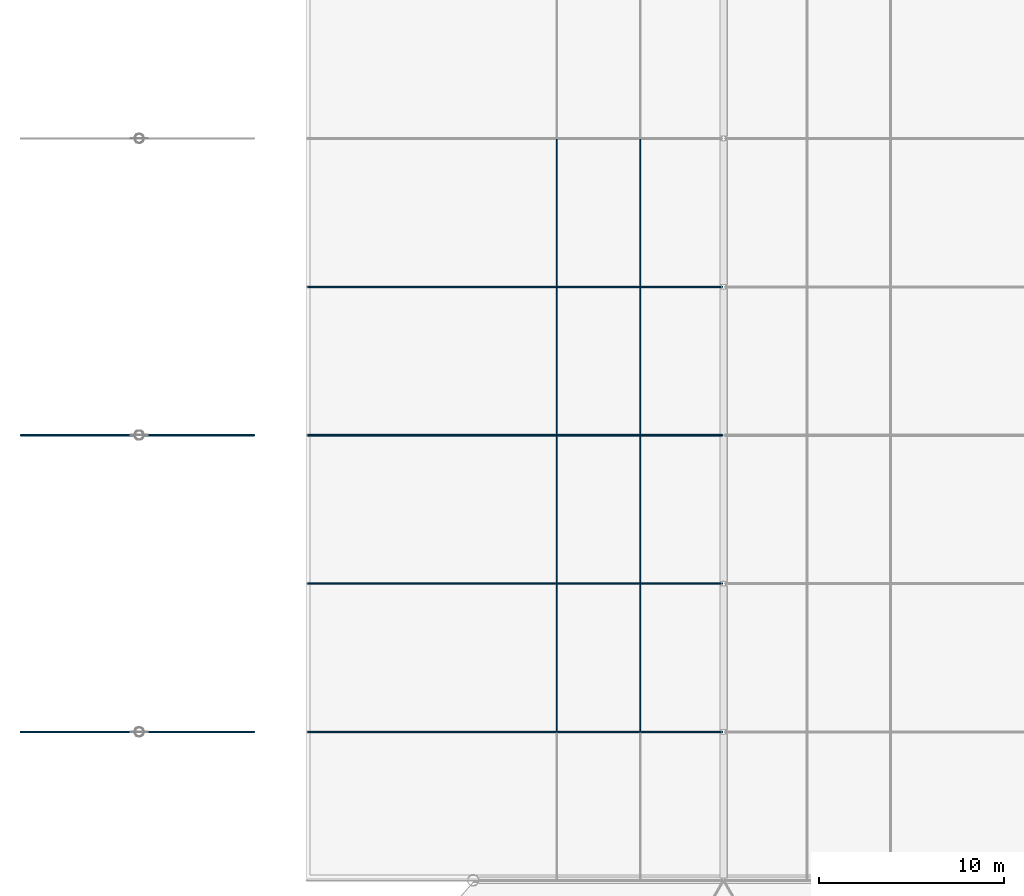
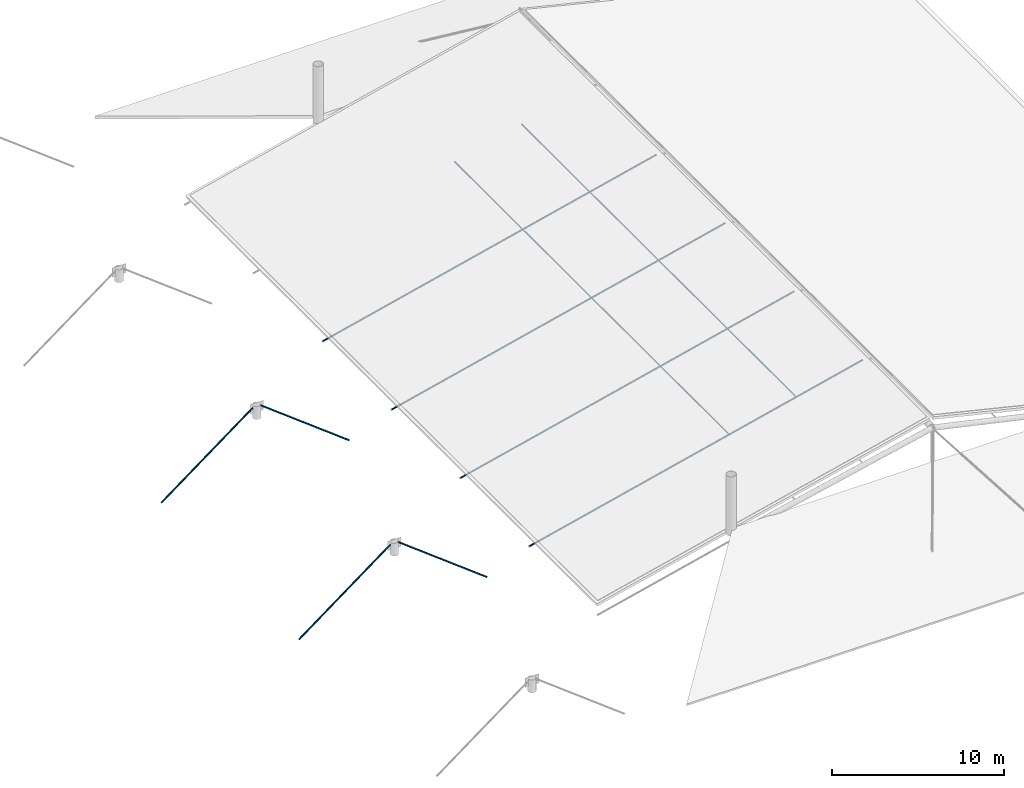
# One storey, part 8 of 71: 16 members.
"""IFC4 building model written with IfcOpenShell, lengths in metres."""

from ifc_helpers import new_model, si_unit, derived_unit, direction, frame, origin, origin_2d, place, context, subcontext, project, spatial, hollow_circle, extrude, material, material_profile, profile_set, type_object, element, save


model = new_model("IFC4")

# Units and contexts
model_context = context("Model", 3, precision=1e-05, world=origin(), true_north=direction((0.0, 1.0)))
body_context = subcontext(model_context, "Body", "Model", "MODEL_VIEW")
ifc_project = project(units=[si_unit("LENGTHUNIT", "METRE"), si_unit("AREAUNIT", "SQUARE_METRE"), si_unit("VOLUMEUNIT", "CUBIC_METRE"), si_unit("PLANEANGLEUNIT", "RADIAN"), si_unit("MASSUNIT", "GRAM", prefix="KILO"), derived_unit("THERMALTRANSMITTANCEUNIT", [(si_unit("MASSUNIT", "GRAM", prefix="KILO"), 1), (si_unit("TIMEUNIT", "SECOND"), -3), (si_unit("THERMODYNAMICTEMPERATUREUNIT", "KELVIN"), -1)])], contexts=[model_context])

# Site, building, storey
site_placement = place(None, origin())
site = spatial("IfcSite", under=ifc_project, at=site_placement, CompositionType="ELEMENT")
building_placement = place(site_placement, origin())
building = spatial("IfcBuilding", under=site, at=building_placement, Name="Zhenchuan Archway Interchange", CompositionType="ELEMENT")
storey_placement = place(building_placement, frame((0.0, 0.0, 18.60009765625)))
storey = spatial("IfcBuildingStorey", under=building, at=storey_placement, Name="L04", CompositionType="ELEMENT", Elevation=18.60009765625)

# Members
ifc_material = material(Name="Steel Q390", Category="steel")
ifc_material_profile_1 = material_profile(ifc_material, hollow_circle(Radius=0.056884765625, WallThickness=0.006103515625, at=origin_2d()), Name="CHS 114x6")
ifc_profile_set_1 = profile_set([ifc_material_profile_1], Name="Steel Q390")
member_type_1 = type_object("IfcMemberType", Name="MB_CBL_CHS114", PredefinedType="USERDEFINED", material=ifc_profile_set_1)
for number, where, z_axis, x_axis, name in (
    (1, (27.050048828125, 40.0, -2.650146484375), (0.972148755208, 0.0, 0.234364668299), (0.0, 1.0, 0.0), "CONCOURSE ROOF CABLE west radial strand 2"),
    (2, (27.050048828125, 48.0, -2.650146484375), (0.972148755208, 0.0, 0.234364668299), (0.0, 1.0, 0.0), "CONCOURSE ROOF CABLE west radial strand 3"),
    (3, (27.050048828125, 56.0, -2.650146484375), (0.972148755208, 0.0, 0.234364668299), (0.0, 1.0, 0.0), "CONCOURSE ROOF CABLE west radial strand 4"),
    (4, (27.050048828125, 64.0, -2.650146484375), (0.972148755208, 0.0, 0.234364668299), (0.0, 1.0, 0.0), "CONCOURSE ROOF CABLE west radial strand 5"),
):
    element("IfcMember", number, at=place(storey_placement, frame(where, z_axis=z_axis, x_axis=x_axis)), inside=storey, type_object=member_type_1, Name=name, ObjectType="CABLE", PredefinedType="USERDEFINED", context=body_context, shape_type="SweptSolid", body=[
        extrude(hollow_circle(Radius=0.056884765625, WallThickness=0.006103515625, at=origin_2d()), origin(), (0.0, 0.0, 1.0), 23.041748046875),
    ])
member_1_placement = place(storey_placement, frame((17.75, 40.0, 0.75), z_axis=(-0.800769910418, 0.0, -0.598972078289), x_axis=(0.0, -1.0, 0.0)))
element("IfcMember", 5, at=member_1_placement, inside=storey, type_object=member_type_1, Name="BUS CANOPY STAY CABLE west BM2", ObjectType="CABLE", PredefinedType="USERDEFINED", context=body_context, shape_type="SweptSolid", body=[
    extrude(hollow_circle(Radius=0.056884765625, WallThickness=0.006103515625, at=origin_2d()), origin(), (0.0, 0.0, 1.0), 7.679931640625),
])
member_2_placement = place(storey_placement, frame((18.25, 40.0, 0.75), z_axis=(0.793062909008, 0.0, -0.609139739597), x_axis=(0.0, 1.0, 0.0)))
element("IfcMember", 6, at=member_2_placement, inside=storey, type_object=member_type_1, Name="BUS CANOPY STAY CABLE east BM2", ObjectType="CABLE", PredefinedType="USERDEFINED", context=body_context, shape_type="SweptSolid", body=[
    extrude(hollow_circle(Radius=0.056884765625, WallThickness=0.006103515625, at=origin_2d()), origin(), (0.0, 0.0, 1.0), 7.50244140625),
])
member_3_placement = place(storey_placement, frame((17.75, 56.0, 0.75), z_axis=(-0.800769910418, 0.0, -0.598972078289), x_axis=(0.0, -1.0, 0.0)))
element("IfcMember", 7, at=member_3_placement, inside=storey, type_object=member_type_1, Name="BUS CANOPY STAY CABLE west BM3", ObjectType="CABLE", PredefinedType="USERDEFINED", context=body_context, shape_type="SweptSolid", body=[
    extrude(hollow_circle(Radius=0.056884765625, WallThickness=0.006103515625, at=origin_2d()), origin(), (0.0, 0.0, 1.0), 7.679931640625),
])
member_4_placement = place(storey_placement, frame((18.25, 56.0, 0.75), z_axis=(0.793062909008, 0.0, -0.609139739597), x_axis=(0.0, 1.0, 0.0)))
element("IfcMember", 8, at=member_4_placement, inside=storey, type_object=member_type_1, Name="BUS CANOPY STAY CABLE east BM3", ObjectType="CABLE", PredefinedType="USERDEFINED", context=body_context, shape_type="SweptSolid", body=[
    extrude(hollow_circle(Radius=0.056884765625, WallThickness=0.006103515625, at=origin_2d()), origin(), (0.0, 0.0, 1.0), 7.50244140625),
])
ifc_material_profile_2 = material_profile(ifc_material, hollow_circle(Radius=0.04443359375, WallThickness=0.006103515625, at=origin_2d()), Name="CHS 89x6")
ifc_profile_set_2 = profile_set([ifc_material_profile_2], Name="Steel Q390")
member_type_2 = type_object("IfcMemberType", Name="MB_CBL_CHS89", PredefinedType="USERDEFINED", material=ifc_profile_set_2)
for number, where, z_axis, x_axis, name in (
    (9, (40.5, 40.02001953125, 0.559814453125), (0.0, 1.0, 0.0), (-1.0, 0.0, 0.0), "CONCOURSE ROOF CABLE longitudinal net strand 2-2"),
    (10, (45.0, 40.02001953125, 1.639892578125), (0.0, 1.0, 0.0), (-1.0, 0.0, 0.0), "CONCOURSE ROOF CABLE longitudinal net strand 2-3"),
    (11, (40.5, 48.02001953125, 0.559814453125), (0.0, 1.0, 0.0), (-1.0, 0.0, 0.0), "CONCOURSE ROOF CABLE longitudinal net strand 3-2"),
    (12, (45.0, 48.02001953125, 1.639892578125), (0.0, 1.0, 0.0), (-1.0, 0.0, 0.0), "CONCOURSE ROOF CABLE longitudinal net strand 3-3"),
    (13, (40.5, 56.02001953125, 0.559814453125), (0.0, 1.0, 0.0), (-1.0, 0.0, 0.0), "CONCOURSE ROOF CABLE longitudinal net strand 4-2"),
    (14, (45.0, 56.02001953125, 1.639892578125), (0.0, 1.0, 0.0), (-1.0, 0.0, 0.0), "CONCOURSE ROOF CABLE longitudinal net strand 4-3"),
    (15, (40.5, 64.02001953125, 0.559814453125), (0.0, 1.0, 0.0), (-1.0, 0.0, 0.0), "CONCOURSE ROOF CABLE longitudinal net strand 5-2"),
    (16, (45.0, 64.02001953125, 1.639892578125), (0.0, 1.0, 0.0), (-1.0, 0.0, 0.0), "CONCOURSE ROOF CABLE longitudinal net strand 5-3"),
):
    element("IfcMember", number, at=place(storey_placement, frame(where, z_axis=z_axis, x_axis=x_axis)), inside=storey, type_object=member_type_2, Name=name, ObjectType="CABLE", PredefinedType="USERDEFINED", context=body_context, shape_type="SweptSolid", body=[
        extrude(hollow_circle(Radius=0.04443359375, WallThickness=0.006103515625, at=origin_2d()), origin(), (0.0, 0.0, 1.0), 7.9599609375),
    ])

save(model, "model.ifc")
